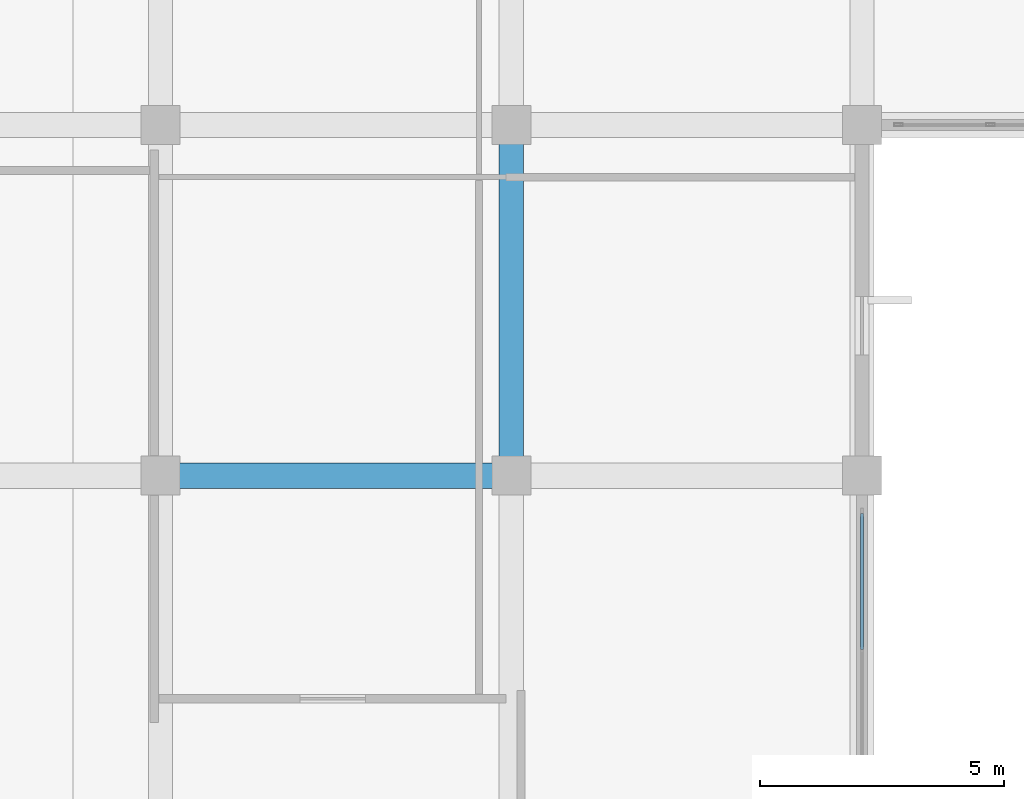
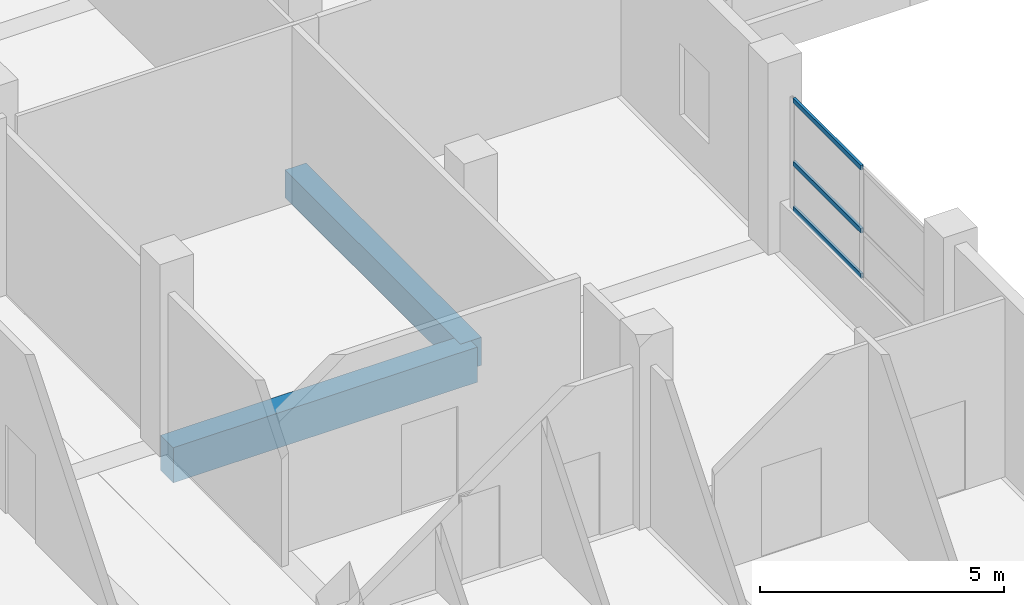
# One storey, part 23 of 140: 3 members, 2 beams, 1 element without a shape of its own.
"""IFC4 building model written with IfcOpenShell, lengths in metres."""

from ifc_helpers import new_model, si_unit, direction, frame, origin, origin_2d, place, context, subcontext, project, spatial, rectangle, hollow_rectangle, extrude, material, layer, layer_set, material_profile, profile_set, type_object, element, aggregate, save


model = new_model("IFC4")

# Units and contexts
model_context = context("Model", 3, precision=1e-05, world=origin(), true_north=direction((0.0, 1.0)))
body_context = subcontext(model_context, "Body", "Model", "MODEL_VIEW")
ifc_project = project(units=[si_unit("LENGTHUNIT", "METRE"), si_unit("AREAUNIT", "SQUARE_METRE"), si_unit("VOLUMEUNIT", "CUBIC_METRE"), si_unit("PLANEANGLEUNIT", "RADIAN"), si_unit("MASSUNIT", "GRAM", prefix="KILO")], contexts=[model_context])

# Site, building, storey
site_placement = place(None, origin())
site = spatial("IfcSite", under=ifc_project, at=site_placement, CompositionType="ELEMENT")
building_placement = place(site_placement, origin())
building = spatial("IfcBuilding", under=site, at=building_placement, Name="Seraya Terrace Polytechnic", CompositionType="ELEMENT")
storey_placement = place(building_placement, frame((0.0, 0.0, 9.60009765625)))
storey = spatial("IfcBuildingStorey", under=building, at=storey_placement, Name="L02", CompositionType="ELEMENT", Elevation=9.60009765625)

# Beams
ifc_material_1 = material(Name="Concrete C40/50", Category="concrete")
ifc_material_profile_1 = material_profile(ifc_material_1, rectangle(XDim=0.52001953125, YDim=0.8798828125, at=origin_2d()), Name="RC 520x880")
ifc_profile_set_1 = profile_set([ifc_material_profile_1], Name="Concrete C40/50")
beam_type_1 = type_object("IfcBeamType", Name="BM-04", PredefinedType="BEAM", material=ifc_profile_set_1)
beam_1_placement = place(storey_placement, frame((28.800048828125, 57.60009765625, -0.440185546875), z_axis=(1.0, 0.0, 0.0), x_axis=(0.0, 1.0, 0.0)))
element("IfcBeam", 1, at=beam_1_placement, inside=storey, type_object=beam_type_1, Name="Beam BM-04 L02 X (28.8..36.0, 57.6)", PredefinedType="BEAM", context=body_context, shape_type="SweptSolid", body=[
    extrude(rectangle(XDim=0.52001953125, YDim=0.8798828125, at=origin_2d()), origin(), (0.0, 0.0, 1.0), 7.199951171875),
])
ifc_material_profile_2 = material_profile(ifc_material_1, rectangle(XDim=0.5, YDim=0.699951171875, at=origin_2d()), Name="RC 500x700")
ifc_profile_set_2 = profile_set([ifc_material_profile_2], Name="Concrete C40/50")
beam_type_2 = type_object("IfcBeamType", Name="BM-07", PredefinedType="BEAM", material=ifc_profile_set_2)
beam_2_placement = place(storey_placement, frame((36.0, 57.60009765625, -0.35009765625), z_axis=(0.0, 1.0, 0.0), x_axis=(-1.0, 0.0, 0.0)))
element("IfcBeam", 2, at=beam_2_placement, inside=storey, type_object=beam_type_2, Name="Beam BM-07 L02 Y (36.0, 57.6..64.8)", PredefinedType="BEAM", context=body_context, shape_type="SweptSolid", body=[
    extrude(rectangle(XDim=0.5, YDim=0.699951171875, at=origin_2d()), origin(), (0.0, 0.0, 1.0), 7.199951171875),
])

# Curtain wall, members
ifc_material_2 = material(Name="Anodised aluminium EN AW-6063 T6", Category="aluminium")
ifc_layer = layer(ifc_material_2, 0.179931640625, Name="CW-14")
ifc_layer_set = layer_set([ifc_layer], Name="Anodised aluminium EN AW-6063 T6")
curtain_wall_type = type_object("IfcCurtainWallType", Name="CW-14", PredefinedType="NOTDEFINED", material=ifc_layer_set)
curtain_wall_placement = place(storey_placement, origin())
curtain_wall = element("IfcCurtainWall", 3, at=curtain_wall_placement, inside=storey, type_object=curtain_wall_type, Name="Unitised curtain wall CW-14 (CW-L02-086)", PredefinedType="NOTDEFINED")
ifc_material_profile_3 = material_profile(ifc_material_2, hollow_rectangle(XDim=0.06005859375, YDim=0.1201171875, WallThickness=0.003173828125, at=origin_2d()), Name="RHS 120x60x3.2")
ifc_profile_set_3 = profile_set([ifc_material_profile_3], Name="Anodised aluminium EN AW-6063 T6")
member_type = type_object("IfcMemberType", Name="CWT-02", PredefinedType="USERDEFINED", material=ifc_profile_set_3)
member_1_placement = place(storey_placement, frame((43.199951171875, 56.820068359375, 1.27001953125), z_axis=(0.0, -1.0, 0.0), x_axis=(1.0, 0.0, 0.0)))
member_1 = element("IfcMember", 4, at=member_1_placement, type_object=member_type, Name="CW-14 transom 1.1", ObjectType="TRANSOM", PredefinedType="USERDEFINED", context=body_context, shape_type="SweptSolid", body=[
    extrude(hollow_rectangle(XDim=0.06005859375, YDim=0.1201171875, WallThickness=0.003173828125, at=origin_2d()), origin(), (0.0, 0.0, 1.0), 2.7900390625),
])
member_2_placement = place(storey_placement, frame((43.199951171875, 56.820068359375, 2.4033203125), z_axis=(0.0, -1.0, 0.0), x_axis=(1.0, 0.0, 0.0)))
member_2 = element("IfcMember", 5, at=member_2_placement, type_object=member_type, Name="CW-14 transom 1.2", ObjectType="TRANSOM", PredefinedType="USERDEFINED", context=body_context, shape_type="SweptSolid", body=[
    extrude(hollow_rectangle(XDim=0.06005859375, YDim=0.1201171875, WallThickness=0.003173828125, at=origin_2d()), origin(), (0.0, 0.0, 1.0), 2.7900390625),
])
member_3_placement = place(storey_placement, frame((43.199951171875, 56.820068359375, 3.97998046875), z_axis=(0.0, -1.0, 0.0), x_axis=(1.0, 0.0, 0.0)))
member_3 = element("IfcMember", 6, at=member_3_placement, type_object=member_type, Name="CW-14 transom 1.3", ObjectType="TRANSOM", PredefinedType="USERDEFINED", context=body_context, shape_type="SweptSolid", body=[
    extrude(hollow_rectangle(XDim=0.06005859375, YDim=0.1201171875, WallThickness=0.003173828125, at=origin_2d()), origin(), (0.0, 0.0, 1.0), 2.7900390625),
])
aggregate(curtain_wall, [member_1, member_2, member_3])

save(model, "model.ifc")
